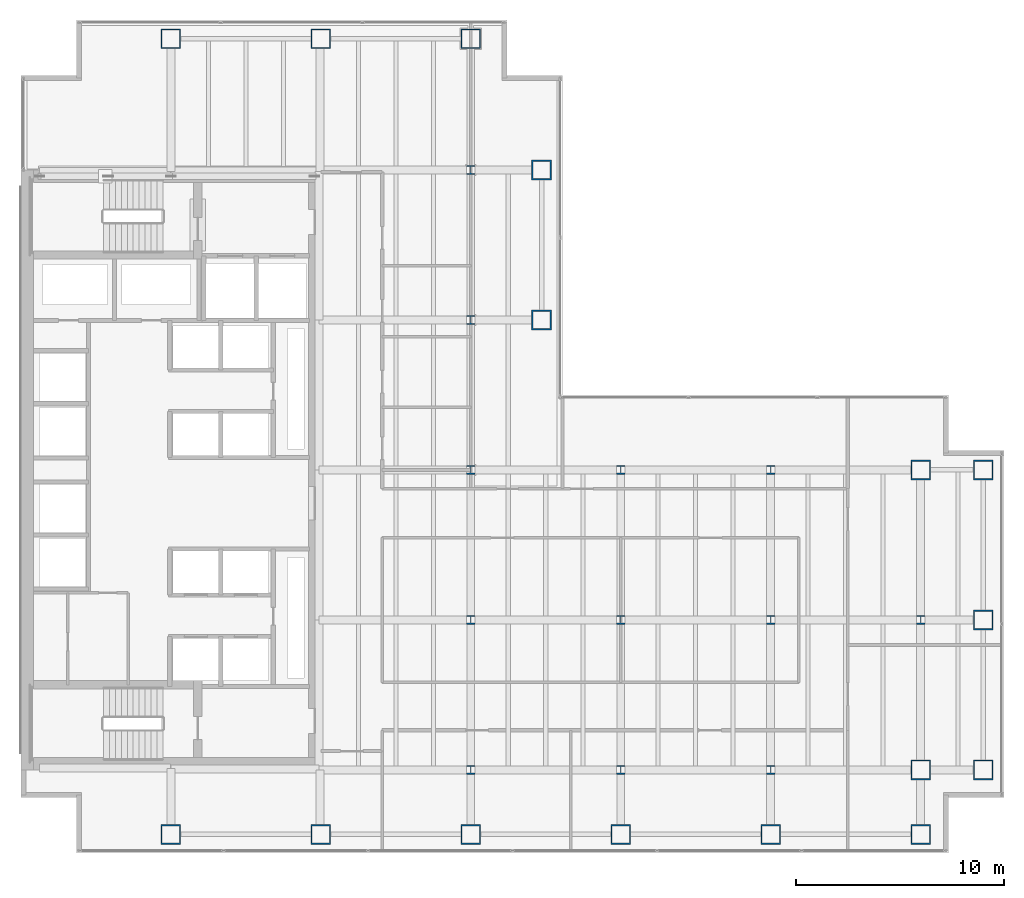
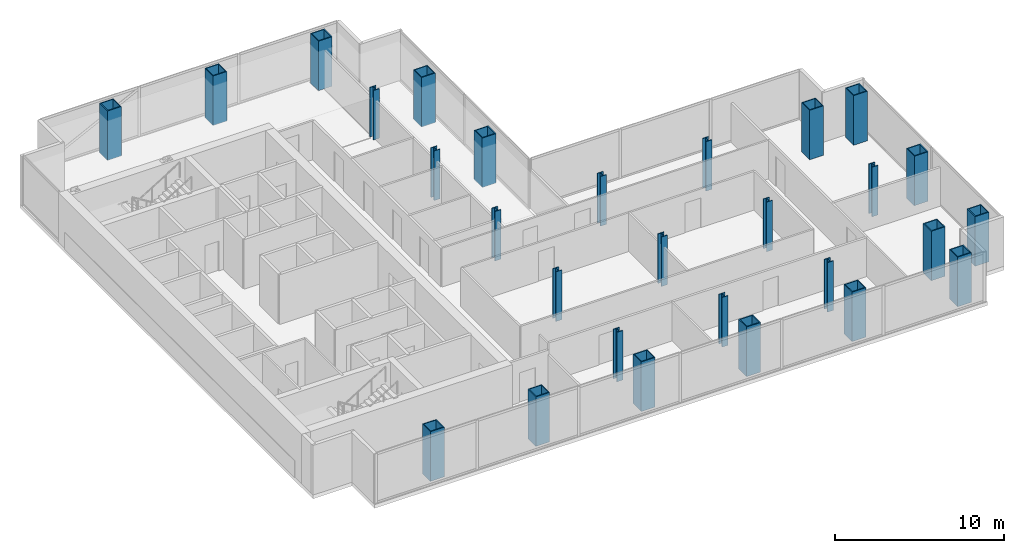
# One storey, part 1 of 23: 28 columns.
"""IFC4 building model written with IfcOpenShell, lengths in metres."""

from ifc_helpers import new_model, si_unit, direction, frame, origin, origin_2d, place, context, subcontext, project, spatial, hollow_rectangle, i_section, extrude, material, material_profile, profile_set, type_object, element, save


model = new_model("IFC4")

# Units and contexts
model_context = context("Model", 3, precision=1e-05, world=origin(), true_north=direction((0.0, 1.0)))
body_context = subcontext(model_context, "Body", "Model", "MODEL_VIEW")
ifc_project = project(units=[si_unit("LENGTHUNIT", "METRE"), si_unit("AREAUNIT", "SQUARE_METRE"), si_unit("VOLUMEUNIT", "CUBIC_METRE"), si_unit("PLANEANGLEUNIT", "RADIAN"), si_unit("MASSUNIT", "GRAM", prefix="KILO")], contexts=[model_context])

# Site, building, storey
site_placement = place(None, origin())
site = spatial("IfcSite", under=ifc_project, at=site_placement, CompositionType="ELEMENT")
building_placement = place(site_placement, origin())
building = spatial("IfcBuilding", under=site, at=building_placement, Name="Cobrela Telecom Tower", CompositionType="ELEMENT")
storey_placement = place(building_placement, frame((0.0, 0.0, 102.199951171875)))
storey = spatial("IfcBuildingStorey", under=building, at=storey_placement, Name="L25", CompositionType="ELEMENT", Elevation=102.199951171875)

# Columns
ifc_material_1 = material(Name="Steel ASTM A992 Grade 50", Category="steel")
ifc_material_profile_1 = material_profile(ifc_material_1, i_section(OverallWidth=0.408935546875, OverallDepth=0.424072265625, WebThickness=0.03271484375, FlangeThickness=0.052490234375, FilletRadius=0.01806640625, at=origin_2d()), Name="W14X283")
ifc_profile_set_1 = profile_set([ifc_material_profile_1], Name="Steel ASTM A992 Grade 50")
column_type_1 = type_object("IfcColumnType", Name="COL-INT-05", PredefinedType="COLUMN", material=ifc_profile_set_1)
for number, where, z_axis, x_axis, name in (
    (1, (21.60009765625, 7.199951171875, 0.0), (0.0, 0.0, 1.0), (1.0, 0.0, 0.0), "L25 Interior Column 06"),
    (2, (21.60009765625, 14.39990234375, 0.0), (0.0, 0.0, 1.0), (1.0, 0.0, 0.0), "L25 Interior Column 07"),
    (3, (21.60009765625, 21.60009765625, 0.0), (0.0, 0.0, 1.0), (1.0, 0.0, 0.0), "L25 Interior Column 08"),
    (4, (21.60009765625, 28.800048828125, 0.0), (0.0, 0.0, 1.0), (1.0, 0.0, 0.0), "L25 Interior Column 09"),
    (5, (21.60009765625, 36.0, 0.0), (0.0, 0.0, 1.0), (1.0, 0.0, 0.0), "L25 Interior Column 10"),
    (6, (28.800048828125, 7.199951171875, 0.0), (0.0, 0.0, 1.0), (1.0, 0.0, 0.0), "L25 Interior Column 15"),
    (7, (28.800048828125, 14.39990234375, 0.0), (0.0, 0.0, 1.0), (1.0, 0.0, 0.0), "L25 Interior Column 16"),
    (8, (28.800048828125, 21.60009765625, 0.0), (0.0, 0.0, 1.0), (1.0, 0.0, 0.0), "L25 Interior Column 17"),
    (9, (36.0, 7.199951171875, 0.0), (0.0, 0.0, 1.0), (1.0, 0.0, 0.0), "L25 Interior Column 19"),
    (10, (36.0, 14.39990234375, 0.0), (0.0, 0.0, 1.0), (1.0, 0.0, 0.0), "L25 Interior Column 20"),
    (11, (36.0, 21.60009765625, 0.0), (0.0, 0.0, 1.0), (1.0, 0.0, 0.0), "L25 Interior Column 21"),
    (12, (43.199951171875, 14.39990234375, 0.0), (0.0, 0.0, 1.0), (1.0, 0.0, 0.0), "L25 Interior Column 24"),
):
    element("IfcColumn", number, at=place(storey_placement, frame(where, z_axis=z_axis, x_axis=x_axis)), inside=storey, type_object=column_type_1, Name=name, PredefinedType="COLUMN", context=body_context, shape_type="SweptSolid", body=[
        extrude(i_section(OverallWidth=0.408935546875, OverallDepth=0.424072265625, WebThickness=0.03271484375, FlangeThickness=0.052490234375, FilletRadius=0.01806640625, at=origin_2d()), origin(), (0.0, 0.0, 1.0), 3.580078125),
    ])
ifc_material_2 = material(Name="Steel ASTM A572 Grade 50", Category="steel")
ifc_material_profile_2 = material_profile(ifc_material_2, hollow_rectangle(XDim=0.949951171875, YDim=0.949951171875, WallThickness=0.06005859375, at=origin_2d()), Name="BOX 950x950x60")
ifc_profile_set_2 = profile_set([ifc_material_profile_2], Name="Steel ASTM A572 Grade 50")
column_type_2 = type_object("IfcColumnType", Name="COL-MEGA-04", PredefinedType="COLUMN", material=ifc_profile_set_2)
for number, where, z_axis, x_axis, name in (
    (13, (7.199951171875, 4.10009765625, 0.0), (0.0, 0.0, 1.0), (1.0, 0.0, 0.0), "L25 Perimeter Mega-Column 01"),
    (14, (7.199951171875, 42.300048828125, 0.0), (0.0, 0.0, 1.0), (1.0, 0.0, 0.0), "L25 Perimeter Mega-Column 02"),
    (15, (14.39990234375, 4.10009765625, 0.0), (0.0, 0.0, 1.0), (1.0, 0.0, 0.0), "L25 Perimeter Mega-Column 03"),
    (16, (14.39990234375, 42.300048828125, 0.0), (0.0, 0.0, 1.0), (1.0, 0.0, 0.0), "L25 Perimeter Mega-Column 04"),
    (17, (21.60009765625, 4.10009765625, 0.0), (0.0, 0.0, 1.0), (1.0, 0.0, 0.0), "L25 Perimeter Mega-Column 05"),
    (18, (21.60009765625, 42.300048828125, 0.0), (0.0, 0.0, 1.0), (1.0, 0.0, 0.0), "L25 Perimeter Mega-Column 11"),
    (19, (25.0, 28.800048828125, 0.0), (0.0, 0.0, 1.0), (1.0, 0.0, 0.0), "L25 Perimeter Mega-Column 12"),
    (20, (25.0, 36.0, 0.0), (0.0, 0.0, 1.0), (1.0, 0.0, 0.0), "L25 Perimeter Mega-Column 13"),
    (21, (28.800048828125, 4.10009765625, 0.0), (0.0, 0.0, 1.0), (1.0, 0.0, 0.0), "L25 Perimeter Mega-Column 14"),
    (22, (36.0, 4.10009765625, 0.0), (0.0, 0.0, 1.0), (1.0, 0.0, 0.0), "L25 Perimeter Mega-Column 18"),
    (23, (43.199951171875, 4.10009765625, 0.0), (0.0, 0.0, 1.0), (1.0, 0.0, 0.0), "L25 Perimeter Mega-Column 22"),
    (24, (43.199951171875, 7.199951171875, 0.0), (0.0, 0.0, 1.0), (1.0, 0.0, 0.0), "L25 Perimeter Mega-Column 23"),
    (25, (43.199951171875, 21.60009765625, 0.0), (0.0, 0.0, 1.0), (1.0, 0.0, 0.0), "L25 Perimeter Mega-Column 25"),
    (26, (46.199951171875, 7.199951171875, 0.0), (0.0, 0.0, 1.0), (1.0, 0.0, 0.0), "L25 Perimeter Mega-Column 26"),
    (27, (46.199951171875, 14.39990234375, 0.0), (0.0, 0.0, 1.0), (1.0, 0.0, 0.0), "L25 Perimeter Mega-Column 27"),
    (28, (46.199951171875, 21.60009765625, 0.0), (0.0, 0.0, 1.0), (1.0, 0.0, 0.0), "L25 Perimeter Mega-Column 28"),
):
    element("IfcColumn", number, at=place(storey_placement, frame(where, z_axis=z_axis, x_axis=x_axis)), inside=storey, type_object=column_type_2, Name=name, PredefinedType="COLUMN", context=body_context, shape_type="SweptSolid", body=[
        extrude(hollow_rectangle(XDim=0.949951171875, YDim=0.949951171875, WallThickness=0.06005859375, at=origin_2d()), origin(), (0.0, 0.0, 1.0), 3.580078125),
    ])

save(model, "model.ifc")
